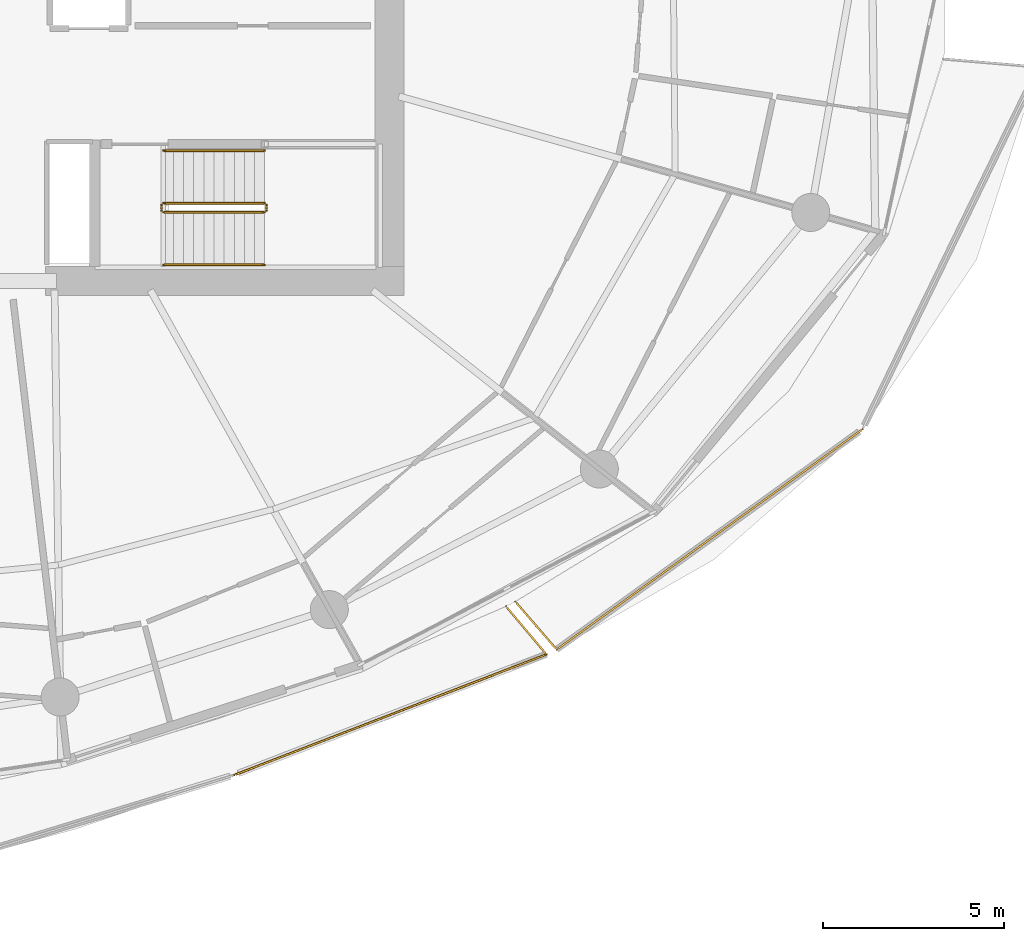
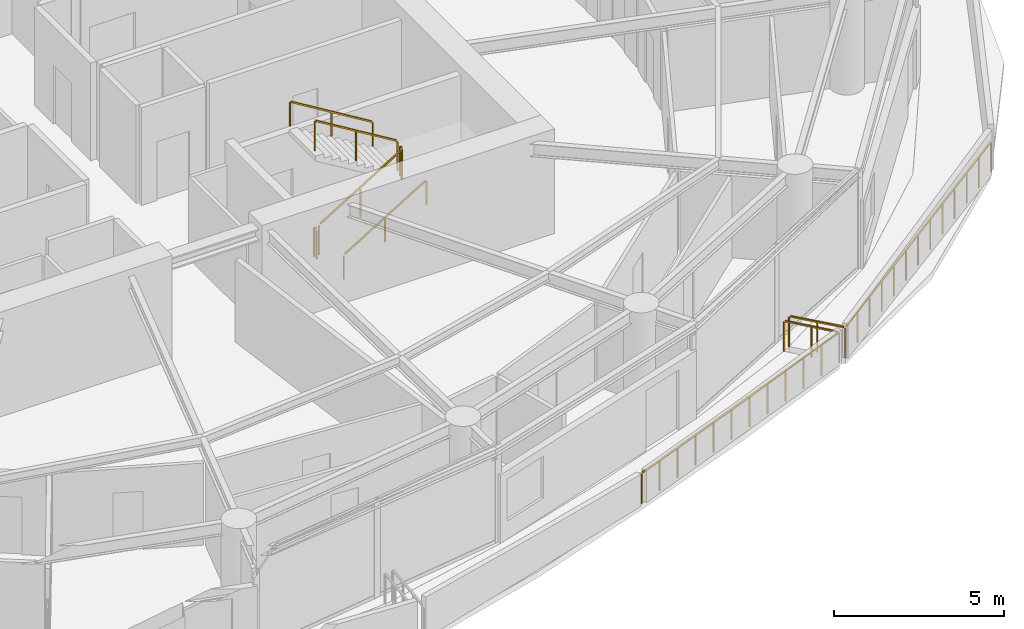
# One storey, part 18 of 20: 10 railings.
"""IFC4 building model written with IfcOpenShell, lengths in metres."""

from ifc_helpers import new_model, si_unit, direction, frame, origin, origin_2d, place, context, subcontext, project, spatial, rectangle, extrude, material, type_object, element, save


model = new_model("IFC4")

# Units and contexts
model_context = context("Model", 3, precision=1e-05, world=origin(), true_north=direction((0.0, 1.0)))
body_context = subcontext(model_context, "Body", "Model", "MODEL_VIEW")
ifc_project = project(units=[si_unit("LENGTHUNIT", "METRE"), si_unit("AREAUNIT", "SQUARE_METRE"), si_unit("VOLUMEUNIT", "CUBIC_METRE"), si_unit("PLANEANGLEUNIT", "RADIAN"), si_unit("MASSUNIT", "GRAM", prefix="KILO")], contexts=[model_context])

# Site, building, storey
site_placement = place(None, origin())
site = spatial("IfcSite", under=ifc_project, at=site_placement, CompositionType="ELEMENT")
building_placement = place(site_placement, origin())
building = spatial("IfcBuilding", under=site, at=building_placement, Name="Kazma Halo Residences", CompositionType="ELEMENT")
storey_placement = place(building_placement, frame((0.0, 0.0, 150.300048828125)))
storey = spatial("IfcBuildingStorey", under=building, at=storey_placement, Name="L37", CompositionType="ELEMENT", Elevation=150.300048828125)

# Railings
ifc_material_1 = material(Name="Aluminium AW-6063 T6 Brushed Cap Rail", Category="aluminium")
railing_type_1 = type_object("IfcRailingType", Name="RLG-BAL-CAP-1120", PredefinedType="BALUSTRADE", material=ifc_material_1)
railing_1_placement = place(storey_placement, frame((55.158935546875, 19.966796875, 0.0)))
element("IfcRailing", 1, at=railing_1_placement, inside=storey, type_object=railing_type_1, Name="L37 SSE wave balcony guard 3", PredefinedType="BALUSTRADE", context=body_context, shape_type="SweptSolid", body=[
    extrude(rectangle(XDim=0.050048828125, YDim=0.050048828125, at=origin_2d()), frame((0.039794921875, 0.015380859375, 1.09521484375), z_axis=(0.932752497644, 0.36051737564, 0.0), x_axis=(-0.36051737564, 0.932752497644, 0.0)), (0.0, 0.0, 1.0), 9.15380859375),
    extrude(rectangle(XDim=0.0400390625, YDim=0.0400390625, at=origin_2d()), origin(), (0.0, 0.0, 1.0), 1.05810546875),
    extrude(rectangle(XDim=0.0400390625, YDim=0.0400390625, at=origin_2d()), frame((0.783447265625, 0.302734375, 0.0)), (0.0, 0.0, 1.0), 1.05810546875),
    extrude(rectangle(XDim=0.0400390625, YDim=0.0400390625, at=origin_2d()), frame((1.56689453125, 0.605712890625, 0.0)), (0.0, 0.0, 1.0), 1.05810546875),
    extrude(rectangle(XDim=0.0400390625, YDim=0.0400390625, at=origin_2d()), frame((2.350341796875, 0.908447265625, 0.0)), (0.0, 0.0, 1.0), 1.05810546875),
    extrude(rectangle(XDim=0.0400390625, YDim=0.0400390625, at=origin_2d()), frame((3.1337890625, 1.211181640625, 0.0)), (0.0, 0.0, 1.0), 1.05810546875),
    extrude(rectangle(XDim=0.0400390625, YDim=0.0400390625, at=origin_2d()), frame((3.917236328125, 1.513916015625, 0.0)), (0.0, 0.0, 1.0), 1.05810546875),
    extrude(rectangle(XDim=0.0400390625, YDim=0.0400390625, at=origin_2d()), frame((4.700439453125, 1.81689453125, 0.0)), (0.0, 0.0, 1.0), 1.05810546875),
    extrude(rectangle(XDim=0.0400390625, YDim=0.0400390625, at=origin_2d()), frame((5.48388671875, 2.11962890625, 0.0)), (0.0, 0.0, 1.0), 1.05810546875),
    extrude(rectangle(XDim=0.0400390625, YDim=0.0400390625, at=origin_2d()), frame((6.267333984375, 2.42236328125, 0.0)), (0.0, 0.0, 1.0), 1.05810546875),
    extrude(rectangle(XDim=0.0400390625, YDim=0.0400390625, at=origin_2d()), frame((7.05078125, 2.72509765625, 0.0)), (0.0, 0.0, 1.0), 1.05810546875),
    extrude(rectangle(XDim=0.0400390625, YDim=0.0400390625, at=origin_2d()), frame((7.834228515625, 3.028076171875, 0.0)), (0.0, 0.0, 1.0), 1.05810546875),
    extrude(rectangle(XDim=0.0400390625, YDim=0.0400390625, at=origin_2d()), frame((8.61767578125, 3.330810546875, 0.0)), (0.0, 0.0, 1.0), 1.05810546875),
])
railing_2_placement = place(storey_placement, frame((63.776611328125, 23.297607421875, 0.0)))
element("IfcRailing", 2, at=railing_2_placement, inside=storey, type_object=railing_type_1, Name="L37 SSE wave balcony guard 4", PredefinedType="BALUSTRADE", context=body_context, shape_type="SweptSolid", body=[
    extrude(rectangle(XDim=0.050048828125, YDim=0.050048828125, at=origin_2d()), frame((-0.02734375, 0.032470703125, 1.09521484375), z_axis=(-0.644739558111, 0.764402316981, 0.0), x_axis=(-0.764402316981, -0.644739558111, 0.0)), (0.0, 0.0, 1.0), 1.64501953125),
    extrude(rectangle(XDim=0.0400390625, YDim=0.0400390625, at=origin_2d()), origin(), (0.0, 0.0, 1.0), 1.05810546875),
    extrude(rectangle(XDim=0.0400390625, YDim=0.0400390625, at=origin_2d()), frame((-0.5576171875, 0.6611328125, 0.0)), (0.0, 0.0, 1.0), 1.05810546875),
    extrude(rectangle(XDim=0.0400390625, YDim=0.0400390625, at=origin_2d()), frame((-1.115478515625, 1.322509765625, 0.0)), (0.0, 0.0, 1.0), 1.05810546875),
])
railing_3_placement = place(storey_placement, frame((62.91455078125, 24.751953125, 0.0)))
element("IfcRailing", 3, at=railing_3_placement, inside=storey, type_object=railing_type_1, Name="L37 SE wave balcony guard 1", PredefinedType="BALUSTRADE", context=body_context, shape_type="SweptSolid", body=[
    extrude(rectangle(XDim=0.050048828125, YDim=0.050048828125, at=origin_2d()), frame((0.02783203125, -0.0322265625, 1.09521484375), z_axis=(0.653983459738, -0.756508846207, 0.0), x_axis=(0.756508846207, 0.653983459738, 0.0)), (0.0, 0.0, 1.0), 1.662841796875),
    extrude(rectangle(XDim=0.0400390625, YDim=0.0400390625, at=origin_2d()), origin(), (0.0, 0.0, 1.0), 1.05810546875),
    extrude(rectangle(XDim=0.0400390625, YDim=0.0400390625, at=origin_2d()), frame((0.571533203125, -0.6611328125, 0.0)), (0.0, 0.0, 1.0), 1.05810546875),
    extrude(rectangle(XDim=0.0400390625, YDim=0.0400390625, at=origin_2d()), frame((1.14306640625, -1.322265625, 0.0)), (0.0, 0.0, 1.0), 1.05810546875),
])
railing_4_placement = place(storey_placement, frame((64.0576171875, 23.4296875, 0.0)))
element("IfcRailing", 4, at=railing_4_placement, inside=storey, type_object=railing_type_1, Name="L37 SE wave balcony guard 2", PredefinedType="BALUSTRADE", context=body_context, shape_type="SweptSolid", body=[
    extrude(rectangle(XDim=0.050048828125, YDim=0.050048828125, at=origin_2d()), frame((0.034423828125, 0.02490234375, 1.09521484375), z_axis=(0.811368830373, 0.58453453371, 0.0), x_axis=(-0.58453453371, 0.811368830373, 0.0)), (0.0, 0.0, 1.0), 10.324951171875),
    extrude(rectangle(XDim=0.0400390625, YDim=0.0400390625, at=origin_2d()), origin(), (0.0, 0.0, 1.0), 1.05810546875),
    extrude(rectangle(XDim=0.0400390625, YDim=0.0400390625, at=origin_2d()), frame((0.703857421875, 0.507080078125, 0.0)), (0.0, 0.0, 1.0), 1.05810546875),
    extrude(rectangle(XDim=0.0400390625, YDim=0.0400390625, at=origin_2d()), frame((1.40771484375, 1.01416015625, 0.0)), (0.0, 0.0, 1.0), 1.05810546875),
    extrude(rectangle(XDim=0.0400390625, YDim=0.0400390625, at=origin_2d()), frame((2.111572265625, 1.521240234375, 0.0)), (0.0, 0.0, 1.0), 1.05810546875),
    extrude(rectangle(XDim=0.0400390625, YDim=0.0400390625, at=origin_2d()), frame((2.8154296875, 2.0283203125, 0.0)), (0.0, 0.0, 1.0), 1.05810546875),
    extrude(rectangle(XDim=0.0400390625, YDim=0.0400390625, at=origin_2d()), frame((3.519287109375, 2.535400390625, 0.0)), (0.0, 0.0, 1.0), 1.05810546875),
    extrude(rectangle(XDim=0.0400390625, YDim=0.0400390625, at=origin_2d()), frame((4.22314453125, 3.04248046875, 0.0)), (0.0, 0.0, 1.0), 1.05810546875),
    extrude(rectangle(XDim=0.0400390625, YDim=0.0400390625, at=origin_2d()), frame((4.927001953125, 3.549560546875, 0.0)), (0.0, 0.0, 1.0), 1.05810546875),
    extrude(rectangle(XDim=0.0400390625, YDim=0.0400390625, at=origin_2d()), frame((5.630859375, 4.056640625, 0.0)), (0.0, 0.0, 1.0), 1.05810546875),
    extrude(rectangle(XDim=0.0400390625, YDim=0.0400390625, at=origin_2d()), frame((6.334716796875, 4.563720703125, 0.0)), (0.0, 0.0, 1.0), 1.05810546875),
    extrude(rectangle(XDim=0.0400390625, YDim=0.0400390625, at=origin_2d()), frame((7.03857421875, 5.07080078125, 0.0)), (0.0, 0.0, 1.0), 1.05810546875),
    extrude(rectangle(XDim=0.0400390625, YDim=0.0400390625, at=origin_2d()), frame((7.742431640625, 5.577880859375, 0.0)), (0.0, 0.0, 1.0), 1.05810546875),
    extrude(rectangle(XDim=0.0400390625, YDim=0.0400390625, at=origin_2d()), frame((8.4462890625, 6.0849609375, 0.0)), (0.0, 0.0, 1.0), 1.05810546875),
])
ifc_material_2 = material(Name="Painted Steel S355", Category="steel")
railing_type_2 = type_object("IfcRailingType", Name="RLG-STAIR-GRD-1100", PredefinedType="GUARDRAIL", material=ifc_material_2)
railing_5_placement = place(storey_placement, frame((53.199951171875, 35.5, 0.17041015625)))
element("IfcRailing", 5, at=railing_5_placement, inside=storey, type_object=railing_type_2, Name="L37 ST-03 stair guard 1", PredefinedType="GUARDRAIL", context=body_context, shape_type="SweptSolid", body=[
    extrude(rectangle(XDim=0.050048828125, YDim=0.050048828125, at=origin_2d()), frame((0.036376953125, 0.0, 1.09716796875), z_axis=(0.854169791009, 0.0, 0.51999420009), x_axis=(0.0, 1.0, 0.0)), (0.0, 0.0, 1.0), 3.193115234375),
    extrude(rectangle(XDim=0.0400390625, YDim=0.0400390625, at=origin_2d()), origin(), (0.0, 0.0, 1.0), 1.0380859375),
    extrude(rectangle(XDim=0.0400390625, YDim=0.0400390625, at=origin_2d()), frame((1.39990234375, 0.0, 0.852294921875)), (0.0, 0.0, 1.0), 1.0380859375),
    extrude(rectangle(XDim=0.0400390625, YDim=0.0400390625, at=origin_2d()), frame((2.800048828125, 0.0, 1.70458984375)), (0.0, 0.0, 1.0), 1.0380859375),
])
railing_6_placement = place(storey_placement, frame((56.050048828125, 35.550048828125, 1.875)))
element("IfcRailing", 6, at=railing_6_placement, inside=storey, type_object=railing_type_2, Name="L37 ST-03 stair guard 2", PredefinedType="GUARDRAIL", context=body_context, shape_type="SweptSolid", body=[
    extrude(rectangle(XDim=0.050048828125, YDim=0.050048828125, at=origin_2d()), frame((0.0, 0.04248046875, 1.0751953125), z_axis=(0.0, 1.0, 0.0), x_axis=(-1.0, 0.0, 0.0)), (0.0, 0.0, 1.0), 0.06494140625),
    extrude(rectangle(XDim=0.0400390625, YDim=0.0400390625, at=origin_2d()), origin(), (0.0, 0.0, 1.0), 1.0380859375),
    extrude(rectangle(XDim=0.0400390625, YDim=0.0400390625, at=origin_2d()), frame((0.0, 0.14990234375, 0.0)), (0.0, 0.0, 1.0), 1.0380859375),
])
railing_7_placement = place(storey_placement, frame((56.0, 35.75, 2.04541015625)))
element("IfcRailing", 7, at=railing_7_placement, inside=storey, type_object=railing_type_2, Name="L37 ST-03 stair guard 3", PredefinedType="GUARDRAIL", context=body_context, shape_type="SweptSolid", body=[
    extrude(rectangle(XDim=0.050048828125, YDim=0.050048828125, at=origin_2d()), frame((-0.036376953125, 0.0, 1.09716796875), z_axis=(-0.854169791009, 0.0, 0.51999420009), x_axis=(0.0, -1.0, 0.0)), (0.0, 0.0, 1.0), 3.193115234375),
    extrude(rectangle(XDim=0.0400390625, YDim=0.0400390625, at=origin_2d()), origin(), (0.0, 0.0, 1.0), 1.0380859375),
    extrude(rectangle(XDim=0.0400390625, YDim=0.0400390625, at=origin_2d()), frame((-1.39990234375, 0.0, 0.852294921875)), (0.0, 0.0, 1.0), 1.0380859375),
    extrude(rectangle(XDim=0.0400390625, YDim=0.0400390625, at=origin_2d()), frame((-2.800048828125, 0.0, 1.70458984375)), (0.0, 0.0, 1.0), 1.0380859375),
])
railing_8_placement = place(storey_placement, frame((53.14990234375, 35.550048828125, 0.0)))
element("IfcRailing", 8, at=railing_8_placement, inside=storey, type_object=railing_type_2, Name="L37 ST-03 stair guard 4", PredefinedType="GUARDRAIL", context=body_context, shape_type="SweptSolid", body=[
    extrude(rectangle(XDim=0.050048828125, YDim=0.050048828125, at=origin_2d()), frame((0.0, 0.04248046875, 1.0751953125), z_axis=(0.0, 1.0, 0.0), x_axis=(-1.0, 0.0, 0.0)), (0.0, 0.0, 1.0), 0.06494140625),
    extrude(rectangle(XDim=0.0400390625, YDim=0.0400390625, at=origin_2d()), origin(), (0.0, 0.0, 1.0), 1.0380859375),
    extrude(rectangle(XDim=0.0400390625, YDim=0.0400390625, at=origin_2d()), frame((0.0, 0.14990234375, 0.0)), (0.0, 0.0, 1.0), 1.0380859375),
])
ifc_material_3 = material(Name="Brushed Stainless Steel", Category="steel")
railing_type_3 = type_object("IfcRailingType", Name="RLG-STAIR-HND-900", PredefinedType="HANDRAIL", material=ifc_material_3)
railing_9_placement = place(storey_placement, frame((53.199951171875, 34.050048828125, 0.17041015625)))
element("IfcRailing", 9, at=railing_9_placement, inside=storey, type_object=railing_type_3, Name="L37 ST-03 stair handrail 1", PredefinedType="HANDRAIL", context=body_context, shape_type="SweptSolid", body=[
    extrude(rectangle(XDim=0.050048828125, YDim=0.050048828125, at=origin_2d()), frame((0.036376953125, 0.0, 0.89697265625), z_axis=(0.854169791009, 0.0, 0.51999420009), x_axis=(0.0, 1.0, 0.0)), (0.0, 0.0, 1.0), 3.193115234375),
    extrude(rectangle(XDim=0.0400390625, YDim=0.0400390625, at=origin_2d()), origin(), (0.0, 0.0, 1.0), 0.837890625),
    extrude(rectangle(XDim=0.0400390625, YDim=0.0400390625, at=origin_2d()), frame((1.39990234375, 0.0, 0.852294921875)), (0.0, 0.0, 1.0), 0.837890625),
    extrude(rectangle(XDim=0.0400390625, YDim=0.0400390625, at=origin_2d()), frame((2.800048828125, 0.0, 1.70458984375)), (0.0, 0.0, 1.0), 0.837890625),
])
railing_10_placement = place(storey_placement, frame((56.0, 37.199951171875, 2.04541015625)))
element("IfcRailing", 10, at=railing_10_placement, inside=storey, type_object=railing_type_3, Name="L37 ST-03 stair handrail 2", PredefinedType="HANDRAIL", context=body_context, shape_type="SweptSolid", body=[
    extrude(rectangle(XDim=0.050048828125, YDim=0.050048828125, at=origin_2d()), frame((-0.036376953125, 0.0, 0.89697265625), z_axis=(-0.854169791009, 0.0, 0.51999420009), x_axis=(0.0, -1.0, 0.0)), (0.0, 0.0, 1.0), 3.193115234375),
    extrude(rectangle(XDim=0.0400390625, YDim=0.0400390625, at=origin_2d()), origin(), (0.0, 0.0, 1.0), 0.837890625),
    extrude(rectangle(XDim=0.0400390625, YDim=0.0400390625, at=origin_2d()), frame((-1.39990234375, 0.0, 0.852294921875)), (0.0, 0.0, 1.0), 0.837890625),
    extrude(rectangle(XDim=0.0400390625, YDim=0.0400390625, at=origin_2d()), frame((-2.800048828125, 0.0, 1.70458984375)), (0.0, 0.0, 1.0), 0.837890625),
])

save(model, "model.ifc")
